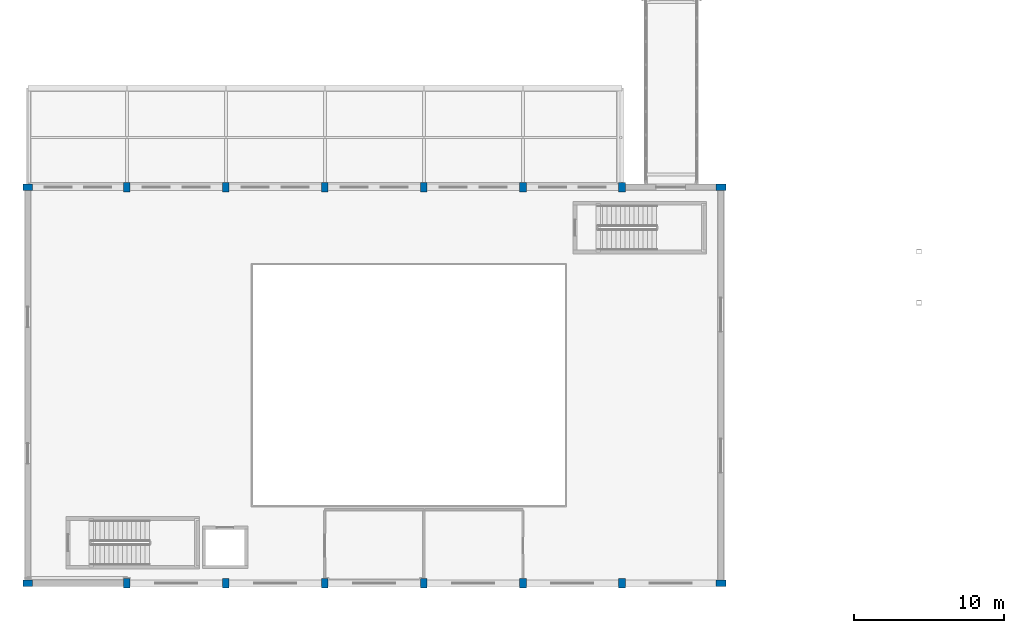
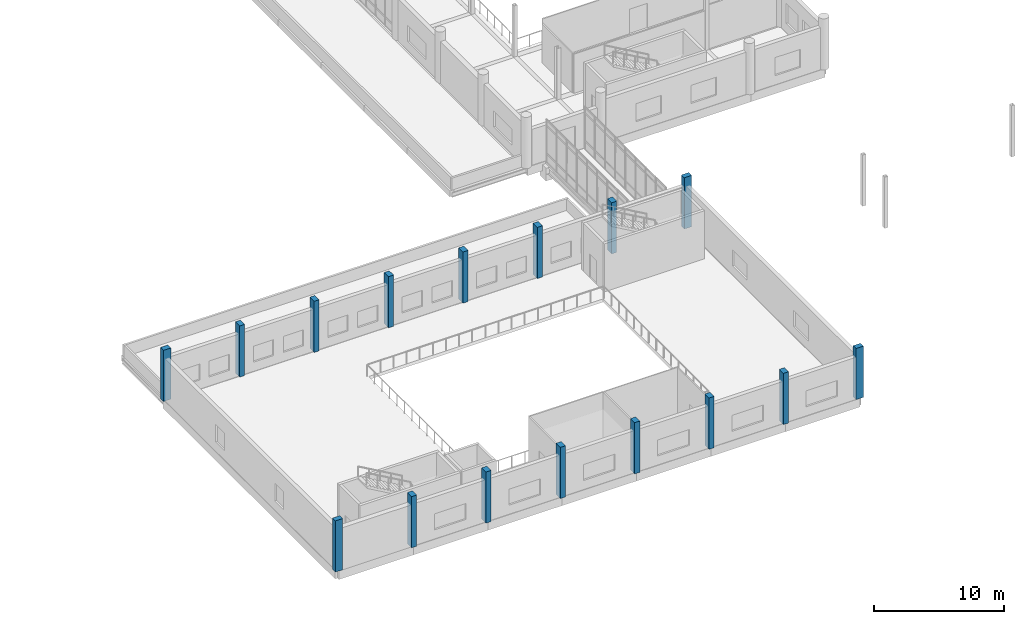
# One storey, part 1 of 125: 16 columns.
"""IFC4 building model written with IfcOpenShell, lengths in metres."""

from ifc_helpers import new_model, si_unit, direction, frame, origin, origin_2d, place, context, subcontext, project, spatial, rectangle, extrude, material, material_profile, profile_set, type_object, element, save


model = new_model("IFC4")

# Units and contexts
model_context = context("Model", 3, precision=1e-05, world=origin(), true_north=direction((0.0, 1.0)))
body_context = subcontext(model_context, "Body", "Model", "MODEL_VIEW")
ifc_project = project(units=[si_unit("LENGTHUNIT", "METRE"), si_unit("AREAUNIT", "SQUARE_METRE"), si_unit("VOLUMEUNIT", "CUBIC_METRE"), si_unit("PLANEANGLEUNIT", "RADIAN"), si_unit("MASSUNIT", "GRAM", prefix="KILO")], contexts=[model_context])

# Site, building, storey
site_placement = place(None, origin())
site = spatial("IfcSite", under=ifc_project, at=site_placement, CompositionType="ELEMENT")
building_placement = place(site_placement, origin())
building = spatial("IfcBuilding", under=site, at=building_placement, Name="Dornvale Research Institute", CompositionType="ELEMENT")
storey_placement = place(building_placement, frame((0.0, 0.0, 5.39990234375)))
storey = spatial("IfcBuildingStorey", under=building, at=storey_placement, Name="L01", CompositionType="ELEMENT", Elevation=5.39990234375)

# Columns
ifc_material = material(Name="Concrete f'c 45 MPa (C35/45)", Category="concrete")
ifc_material_profile = material_profile(ifc_material, rectangle(XDim=0.449951171875, YDim=0.64990234375, at=origin_2d()), Name="RC 450x650")
ifc_profile_set = profile_set([ifc_material_profile], Name="Concrete f'c 45 MPa (C35/45)")
column_type = type_object("IfcColumnType", Name="Pilaster_RC450x650_Ext", PredefinedType="PILASTER", material=ifc_profile_set)
for number, where, z_axis, x_axis, name in (
    (1, (0.0, 0.0, 0.0), (0.0, 0.0, 1.0), (0.0, 1.0, 0.0), "L01 column #1178"),
    (2, (0.0, 26.39990234375, 0.0), (0.0, 0.0, 1.0), (0.0, 1.0, 0.0), "L01 column #1179"),
    (3, (6.60009765625, 0.0, 0.0), (0.0, 0.0, 1.0), (1.0, 0.0, 0.0), "L01 column #1180"),
    (4, (6.60009765625, 26.39990234375, 0.0), (0.0, 0.0, 1.0), (1.0, 0.0, 0.0), "L01 column #1181"),
    (5, (13.199951171875, 0.0, 0.0), (0.0, 0.0, 1.0), (1.0, 0.0, 0.0), "L01 column #1182"),
    (6, (13.199951171875, 26.39990234375, 0.0), (0.0, 0.0, 1.0), (1.0, 0.0, 0.0), "L01 column #1183"),
    (7, (19.800048828125, 0.0, 0.0), (0.0, 0.0, 1.0), (1.0, 0.0, 0.0), "L01 column #1184"),
    (8, (19.800048828125, 26.39990234375, 0.0), (0.0, 0.0, 1.0), (1.0, 0.0, 0.0), "L01 column #1185"),
    (9, (26.39990234375, 0.0, 0.0), (0.0, 0.0, 1.0), (1.0, 0.0, 0.0), "L01 column #1186"),
    (10, (26.39990234375, 26.39990234375, 0.0), (0.0, 0.0, 1.0), (1.0, 0.0, 0.0), "L01 column #1187"),
    (11, (33.0, 0.0, 0.0), (0.0, 0.0, 1.0), (1.0, 0.0, 0.0), "L01 column #1188"),
    (12, (33.0, 26.39990234375, 0.0), (0.0, 0.0, 1.0), (1.0, 0.0, 0.0), "L01 column #1189"),
    (13, (39.60009765625, 0.0, 0.0), (0.0, 0.0, 1.0), (1.0, 0.0, 0.0), "L01 column #1190"),
    (14, (39.60009765625, 26.39990234375, 0.0), (0.0, 0.0, 1.0), (1.0, 0.0, 0.0), "L01 column #1191"),
    (15, (46.199951171875, 0.0, 0.0), (0.0, 0.0, 1.0), (0.0, 1.0, 0.0), "L01 column #1192"),
    (16, (46.199951171875, 26.39990234375, 0.0), (0.0, 0.0, 1.0), (0.0, 1.0, 0.0), "L01 column #1193"),
):
    element("IfcColumn", number, at=place(storey_placement, frame(where, z_axis=z_axis, x_axis=x_axis)), inside=storey, type_object=column_type, Name=name, PredefinedType="PILASTER", context=body_context, shape_type="SweptSolid", body=[
        extrude(rectangle(XDim=0.449951171875, YDim=0.64990234375, at=origin_2d()), origin(), (0.0, 0.0, 1.0), 4.800048828125),
    ])

save(model, "model.ifc")
